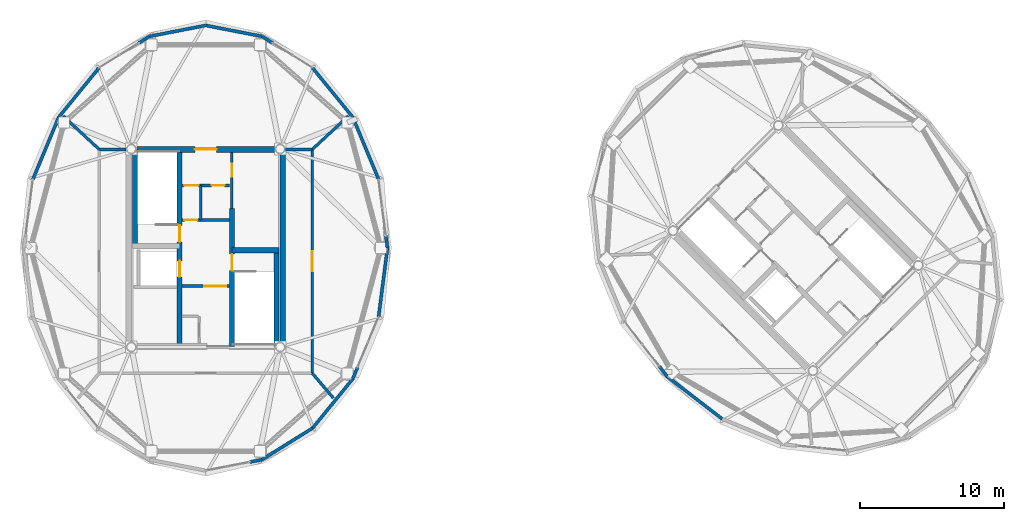
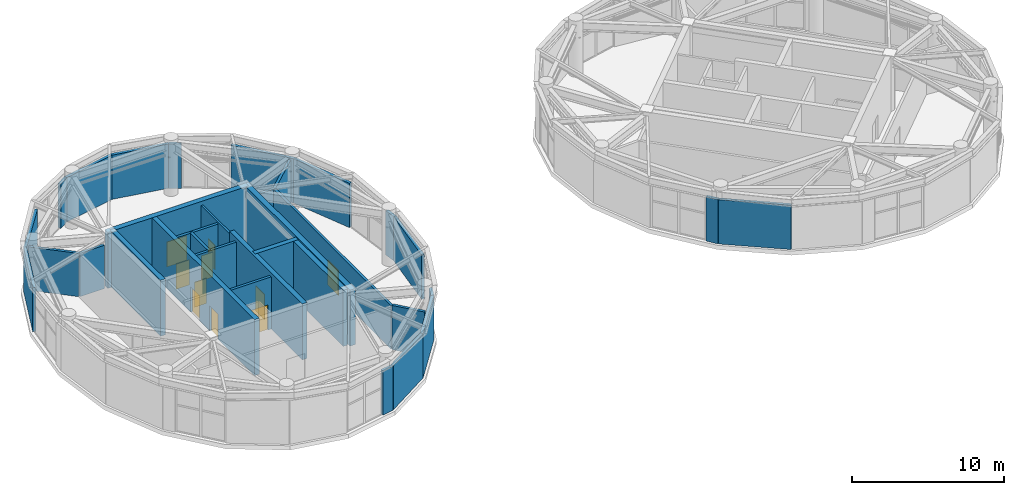
# One storey, part 23 of 26: 34 walls, 10 doors, 10 openings.
"""IFC4 building model written with IfcOpenShell, lengths in metres."""

from ifc_helpers import new_model, si_unit, direction, frame, frame_2d, origin, place, context, subcontext, project, spatial, rectangle, extrude, source, transform, mapped, material, layer, layer_set, type_object, element, fill, save


model = new_model("IFC4")

# Units and contexts
model_context = context("Model", 3, precision=1e-05, world=origin(), true_north=direction((0.0, 1.0)))
body_context = subcontext(model_context, "Body", "Model", "MODEL_VIEW")
ifc_project = project(units=[si_unit("LENGTHUNIT", "METRE"), si_unit("AREAUNIT", "SQUARE_METRE"), si_unit("VOLUMEUNIT", "CUBIC_METRE"), si_unit("PLANEANGLEUNIT", "RADIAN"), si_unit("MASSUNIT", "GRAM", prefix="KILO")], contexts=[model_context])

# Site, building, storey
site_placement = place(None, origin())
site = spatial("IfcSite", under=ifc_project, at=site_placement, CompositionType="ELEMENT")
building_placement = place(site_placement, origin())
building = spatial("IfcBuilding", under=site, at=building_placement, Name="Cununo Teusaquillo Station Towers", CompositionType="ELEMENT")
storey_placement = place(building_placement, frame((0.0, 0.0, 240.330078125)))
storey = spatial("IfcBuildingStorey", under=building, at=storey_placement, Name="L76", CompositionType="ELEMENT", Elevation=240.330078125)

# Wall, openings, doors
ifc_material_1 = material(Name="Concrete C50/60", Category="concrete")
ifc_layer_1 = layer(ifc_material_1, 0.35009765625)
ifc_layer_set_1 = layer_set([ifc_layer_1], Name="Concrete C50/60")
wall_type_1 = type_object("IfcWallType", Name="WL-CORE-350", PredefinedType="SHEAR", material=ifc_layer_set_1)
wall_1_placement = place(storey_placement, frame((14.68505859375, 17.64990234375, 0.0), z_axis=(0.0, 0.0, 1.0), x_axis=(0.0, 1.0, 0.0)))
wall_1 = element("IfcWall", 1, at=wall_1_placement, inside=storey, type_object=wall_type_1, Name="L76 Tower A Core Shear Wall IW", PredefinedType="SHEAR", context=body_context, shape_type="SweptSolid", body=[
    extrude(rectangle(XDim=13.7001953125, YDim=0.35009765625, at=frame_2d((6.85009765625, 0.0))), origin(), (0.0, 0.0, 1.0), 4.5),
])
shared_shape_1 = source(origin(), body_context, "Body", "SweptSolid", [
    extrude(rectangle(XDim=1.10009765625, YDim=2.014892578125, at=frame_2d((0.550048828125, 1.00732421875))), frame((0.0, 0.18505859375, 0.0), z_axis=(0.0, -1.0, 0.0), x_axis=(1.0, 0.0, 0.0)), (0.0, 0.0, 1.0), 0.3701171875),
])
opening_1_placement = place(wall_1_placement, frame((4.85009765625, 0.0, 0.0)))
opening_1 = element("IfcOpeningElement", 2, at=opening_1_placement, cuts=wall_1, Name="Opening LD-01", PredefinedType="OPENING", context=body_context, shape_type="MappedRepresentation", body=[
    mapped(shared_shape_1, transform((0.0, 0.0, 0.0), x_axis=(1.0, 0.0, 0.0), y_axis=(0.0, 1.0, 0.0), z_axis=(0.0, 0.0, 1.0), scale=1.0)),
])
shared_shape_2 = source(origin(), body_context, "Body", "SweptSolid", [
    extrude(rectangle(XDim=1.14990234375, YDim=2.02001953125, at=frame_2d((0.574951171875, 1.010009765625))), frame((0.0, 0.18505859375, 0.0), z_axis=(0.0, -1.0, 0.0), x_axis=(1.0, 0.0, 0.0)), (0.0, 0.0, 1.0), 0.3701171875),
])
opening_2_placement = place(wall_1_placement, frame((7.27001953125, 0.0, 0.0)))
opening_2 = element("IfcOpeningElement", 3, at=opening_2_placement, cuts=wall_1, Name="Opening D-ST1", PredefinedType="OPENING", context=body_context, shape_type="MappedRepresentation", body=[
    mapped(shared_shape_2, transform((0.0, 0.0, 0.0), x_axis=(1.0, 0.0, 0.0), y_axis=(0.0, 1.0, 0.0), z_axis=(0.0, 0.0, 1.0), scale=1.0)),
])
ifc_material_2 = material(Name="Galvanised fire-rated hollow steel door assembly", Category="steel")
door_type_1 = type_object("IfcDoorType", Name="DR-LIFT-1100", OperationType="SLIDING_TO_LEFT", PredefinedType="DOOR", material=ifc_material_2)
shared_shape_3 = source(origin(), body_context, "Body", "SweptSolid", [
    extrude(rectangle(XDim=1.10009765625, YDim=2.014892578125, at=frame_2d((0.550048828125, 1.00732421875))), frame((0.0, 0.02490234375, 0.0), z_axis=(0.0, -1.0, 0.0), x_axis=(1.0, 0.0, 0.0)), (0.0, 0.0, 1.0), 0.050048828125),
])
door_1_placement = place(opening_1_placement, origin())
door_1 = element("IfcDoor", 4, at=door_1_placement, inside=storey, type_object=door_type_1, Name="L76 Lift FL-T1 Sliding Landing Door", OperationType="SLIDING_TO_LEFT", OverallHeight=2.014892578125, OverallWidth=1.10009765625, PredefinedType="DOOR", context=body_context, shape_type="MappedRepresentation", body=[
    mapped(shared_shape_3, transform((0.0, 0.0, 0.0), x_axis=(1.0, 0.0, 0.0), y_axis=(0.0, 1.0, 0.0), z_axis=(0.0, 0.0, 1.0), scale=1.0)),
])
fill(opening_1, door_1)
ifc_material_3 = material(Name="Galvanised fire-rated hollow steel door assembly", Category="steel")
door_type_2 = type_object("IfcDoorType", Name="DR-STAIR-1150", OperationType="NOTDEFINED", PredefinedType="DOOR", material=ifc_material_3)
shared_shape_4 = source(origin(), body_context, "Body", "SweptSolid", [
    extrude(rectangle(XDim=1.14990234375, YDim=2.02001953125, at=frame_2d((0.574951171875, 1.010009765625))), frame((0.0, 0.02490234375, 0.0), z_axis=(0.0, -1.0, 0.0), x_axis=(1.0, 0.0, 0.0)), (0.0, 0.0, 1.0), 0.050048828125),
])
door_2_placement = place(opening_2_placement, origin())
door_2 = element("IfcDoor", 5, at=door_2_placement, inside=storey, type_object=door_type_2, Name="L76 Tower A Exit Stair 1 Fire Door", OperationType="SINGLE_SWING_RIGHT", OverallHeight=2.02001953125, OverallWidth=1.14990234375, PredefinedType="DOOR", context=body_context, shape_type="MappedRepresentation", body=[
    mapped(shared_shape_4, transform((0.0, 0.0, 0.0), x_axis=(1.0, 0.0, 0.0), y_axis=(0.0, 1.0, 0.0), z_axis=(0.0, 0.0, 1.0), scale=1.0)),
])
fill(opening_2, door_2)

# Wall, opening, door
wall_2_placement = place(storey_placement, frame((18.31494140625, 17.64990234375, 0.0), z_axis=(0.0, 0.0, 1.0), x_axis=(0.0, 1.0, 0.0)))
wall_2 = element("IfcWall", 6, at=wall_2_placement, inside=storey, type_object=wall_type_1, Name="L76 Tower A Core Shear Wall IE", PredefinedType="SHEAR", context=body_context, shape_type="SweptSolid", body=[
    extrude(rectangle(XDim=9.60009765625, YDim=0.35009765625, at=frame_2d((4.800048828125, 0.0))), origin(), (0.0, 0.0, 1.0), 4.5),
])
opening_3_placement = place(wall_2_placement, frame((5.280029296875, 0.0, 0.0)))
opening_3 = element("IfcOpeningElement", 7, at=opening_3_placement, cuts=wall_2, Name="Opening D-ST1", PredefinedType="OPENING", context=body_context, shape_type="MappedRepresentation", body=[
    mapped(shared_shape_2, transform((0.0, 0.0, 0.0), x_axis=(1.0, 0.0, 0.0), y_axis=(0.0, 1.0, 0.0), z_axis=(0.0, 0.0, 1.0), scale=1.0)),
])
door_3_placement = place(opening_3_placement, origin())
door_3 = element("IfcDoor", 8, at=door_3_placement, inside=storey, type_object=door_type_2, Name="L76 Tower A Exit Stair 2 Fire Door", OperationType="SINGLE_SWING_LEFT", OverallHeight=2.02001953125, OverallWidth=1.14990234375, PredefinedType="DOOR", context=body_context, shape_type="MappedRepresentation", body=[
    mapped(shared_shape_4, transform((0.0, 0.0, 0.0), x_axis=(1.0, 0.0, 0.0), y_axis=(0.0, 1.0, 0.0), z_axis=(0.0, 0.0, 1.0), scale=1.0)),
])
fill(opening_3, door_3)

# Walls
for number, where, z_axis, x_axis, name in (
    (9, (11.594970703125, 24.655029296875, 0.0), (0.0, 0.0, 1.0), (0.0, 1.0, 0.0), "L76 Tower A Core Shear Wall ST1W"),
    (10, (21.405029296875, 17.64990234375, 0.0), (0.0, 0.0, 1.0), (0.0, 1.0, 0.0), "L76 Tower A Core Shear Wall ST2E"),
):
    element("IfcWall", number, at=place(storey_placement, frame(where, z_axis=z_axis, x_axis=x_axis)), inside=storey, type_object=wall_type_1, Name=name, PredefinedType="SHEAR", context=body_context, shape_type="SweptSolid", body=[
        extrude(rectangle(XDim=6.695068359375, YDim=0.35009765625, at=frame_2d((3.34765625, 0.0))), origin(), (0.0, 0.0, 1.0), 4.5),
    ])
wall_3_placement = place(storey_placement, frame((18.31494140625, 24.344970703125, 0.0), z_axis=(0.0, 0.0, 1.0), x_axis=(1.0, 0.0, 0.0)))
element("IfcWall", 11, at=wall_3_placement, inside=storey, type_object=wall_type_1, Name="L76 Tower A Core Shear Wall ST2N", PredefinedType="SHEAR", context=body_context, shape_type="SweptSolid", body=[
    extrude(rectangle(XDim=3.28515625, YDim=0.35009765625, at=frame_2d((1.642578125, 0.0))), origin(), (0.0, 0.0, 1.0), 4.5),
])
ifc_material_4 = material(Name="Concrete C50/60", Category="concrete")
ifc_layer_2 = layer(ifc_material_4, 0.39990234375)
ifc_layer_set_2 = layer_set([ifc_layer_2], Name="Concrete C50/60")
wall_type_2 = type_object("IfcWallType", Name="WL-CORE-400", PredefinedType="SHEAR", material=ifc_layer_set_2)
wall_4_placement = place(storey_placement, frame((21.85009765625, 17.449951171875, 0.0), z_axis=(0.0, 0.0, 1.0), x_axis=(0.0, 1.0, 0.0)))
element("IfcWall", 12, at=wall_4_placement, inside=storey, type_object=wall_type_2, Name="L76 Tower A Core Shear Wall E", PredefinedType="SHEAR", context=body_context, shape_type="SweptSolid", body=[
    extrude(rectangle(XDim=14.10009765625, YDim=0.39990234375, at=frame_2d((7.050048828125, 0.0))), origin(), (0.0, 0.0, 1.0), 4.5),
])

# Wall, opening, door
wall_5_placement = place(storey_placement, frame((11.14990234375, 31.35009765625, 0.0), z_axis=(0.0, 0.0, 1.0), x_axis=(1.0, 0.0, 0.0)))
wall_5 = element("IfcWall", 13, at=wall_5_placement, inside=storey, type_object=wall_type_2, Name="L76 Tower A Core Shear Wall N", PredefinedType="SHEAR", context=body_context, shape_type="SweptSolid", body=[
    extrude(rectangle(XDim=10.7001953125, YDim=0.39990234375, at=frame_2d((5.35009765625, 0.0))), origin(), (0.0, 0.0, 1.0), 4.5),
])
shared_shape_5 = source(origin(), body_context, "Body", "SweptSolid", [
    extrude(rectangle(XDim=1.5, YDim=2.02001953125, at=frame_2d((0.75, 1.010009765625))), frame((0.0, 0.2099609375, 0.0), z_axis=(0.0, -1.0, 0.0), x_axis=(1.0, 0.0, 0.0)), (0.0, 0.0, 1.0), 0.419921875),
])
opening_4_placement = place(wall_5_placement, frame((4.60009765625, 0.0, 0.0)))
opening_4 = element("IfcOpeningElement", 14, at=opening_4_placement, cuts=wall_5, Name="Opening D-LB1", PredefinedType="OPENING", context=body_context, shape_type="MappedRepresentation", body=[
    mapped(shared_shape_5, transform((0.0, 0.0, 0.0), x_axis=(1.0, 0.0, 0.0), y_axis=(0.0, 1.0, 0.0), z_axis=(0.0, 0.0, 1.0), scale=1.0)),
])
ifc_material_5 = material(Name="Galvanised fire-rated hollow steel door assembly", Category="steel")
door_type_3 = type_object("IfcDoorType", Name="DR-LOBBY-1500", OperationType="DOUBLE_DOOR_SINGLE_SWING", PredefinedType="DOOR", material=ifc_material_5)
shared_shape_6 = source(origin(), body_context, "Body", "SweptSolid", [
    extrude(rectangle(XDim=1.5, YDim=2.02001953125, at=frame_2d((0.75, 1.010009765625))), frame((0.0, 0.02490234375, 0.0), z_axis=(0.0, -1.0, 0.0), x_axis=(1.0, 0.0, 0.0)), (0.0, 0.0, 1.0), 0.050048828125),
])
door_4_placement = place(opening_4_placement, origin())
door_4 = element("IfcDoor", 15, at=door_4_placement, inside=storey, type_object=door_type_3, Name="L76 Tower A North Core Lift Lobby Door", OperationType="DOUBLE_DOOR_SINGLE_SWING", OverallHeight=2.02001953125, OverallWidth=1.5, PredefinedType="DOOR", context=body_context, shape_type="MappedRepresentation", body=[
    mapped(shared_shape_6, transform((0.0, 0.0, 0.0), x_axis=(1.0, 0.0, 0.0), y_axis=(0.0, 1.0, 0.0), z_axis=(0.0, 0.0, 1.0), scale=1.0)),
])
fill(opening_4, door_4)

# Walls
ifc_material_6 = material(Name="Precast concrete C40/50", Category="concrete")
ifc_layer_3 = layer(ifc_material_6, 0.219970703125)
ifc_layer_set_3 = layer_set([ifc_layer_3], Name="Precast concrete C40/50")
wall_type_3 = type_object("IfcWallType", Name="WL-EXT-220", PredefinedType="SOLIDWALL", material=ifc_layer_set_3)
wall_6_placement = place(storey_placement, frame((29.018310546875, 25.36279296875, 0.0), z_axis=(0.0, 0.0, 1.0), x_axis=(0.128247365719, -0.991742211054, 0.0)))
element("IfcWall", 16, at=wall_6_placement, inside=storey, type_object=wall_type_3, Name="L76 Tower A Crown Drum Pier Cassette C00-PB", PredefinedType="SOLIDWALL", context=body_context, shape_type="SweptSolid", body=[
    extrude(rectangle(XDim=0.869873046875, YDim=0.219970703125, at=frame_2d((0.43505859375, 0.0))), origin(), (0.0, 0.0, 1.0), 3.555908203125),
])
wall_7_placement = place(storey_placement, frame((26.718017578125, 33.593017578125, 0.0), z_axis=(0.0, 0.0, 1.0), x_axis=(0.384036305194, -0.923317993052, 0.0)))
element("IfcWall", 17, at=wall_7_placement, inside=storey, type_object=wall_type_3, Name="L76 Tower A Crown Drum Spandrel Cassette C01", PredefinedType="SOLIDWALL", context=body_context, shape_type="SweptSolid", body=[
    extrude(rectangle(XDim=4.670654296875, YDim=0.219970703125, at=frame_2d((2.33544921875, 0.0))), origin(), (0.0, 0.0, 1.0), 3.555908203125),
])
wall_8_placement = place(storey_placement, frame((23.923583984375, 37.015380859375, 0.0), z_axis=(0.0, 0.0, 1.0), x_axis=(0.632467166636, -0.774587169483, 0.0)))
element("IfcWall", 18, at=wall_8_placement, inside=storey, type_object=wall_type_3, Name="L76 Tower A Crown Drum Spandrel Cassette C02", PredefinedType="SOLIDWALL", context=body_context, shape_type="SweptSolid", body=[
    extrude(rectangle(XDim=4.418212890625, YDim=0.219970703125, at=frame_2d((2.208984375, 0.0))), origin(), (0.0, 0.0, 1.0), 3.555908203125),
])
wall_9_placement = place(storey_placement, frame((20.40283203125, 39.212890625, 0.0), z_axis=(0.0, 0.0, 1.0), x_axis=(0.848376354637, -0.529393578439, 0.0)))
element("IfcWall", 19, at=wall_9_placement, inside=storey, type_object=wall_type_3, Name="L76 Tower A Crown Drum Pier Cassette C03-PA", PredefinedType="SOLIDWALL", context=body_context, shape_type="SweptSolid", body=[
    extrude(rectangle(XDim=0.8701171875, YDim=0.219970703125, at=frame_2d((0.43505859375, 0.0))), origin(), (0.0, 0.0, 1.0), 3.555908203125),
])
for number, where, z_axis, x_axis, name in (
    (20, (16.5, 39.969970703125, 0.0), (0.0, 0.0, 1.0), (0.981700307484, -0.190432419211, 0.0), "L76 Tower A Crown Drum Spandrel Cassette C04"),
    (21, (12.59716796875, 39.212890625, 0.0), (0.0, 0.0, 1.0), (0.981700307484, 0.190432419211, 0.0), "L76 Tower A Crown Drum Spandrel Cassette C05"),
):
    element("IfcWall", number, at=place(storey_placement, frame(where, z_axis=z_axis, x_axis=x_axis)), inside=storey, type_object=wall_type_3, Name=name, PredefinedType="SOLIDWALL", context=body_context, shape_type="SweptSolid", body=[
        extrude(rectangle(XDim=3.9755859375, YDim=0.219970703125, at=frame_2d((1.98779296875, 0.0))), origin(), (0.0, 0.0, 1.0), 3.555908203125),
    ])
wall_10_placement = place(storey_placement, frame((11.85888671875, 38.752197265625, 0.0), z_axis=(0.0, 0.0, 1.0), x_axis=(0.848376354637, 0.529393578439, 0.0)))
element("IfcWall", 22, at=wall_10_placement, inside=storey, type_object=wall_type_3, Name="L76 Tower A Crown Drum Pier Cassette C06-PB", PredefinedType="SOLIDWALL", context=body_context, shape_type="SweptSolid", body=[
    extrude(rectangle(XDim=0.8701171875, YDim=0.219970703125, at=frame_2d((0.43505859375, 0.0))), origin(), (0.0, 0.0, 1.0), 3.555908203125),
])
wall_11_placement = place(storey_placement, frame((6.281982421875, 33.593017578125, 0.0), z_axis=(0.0, 0.0, 1.0), x_axis=(0.632467166636, 0.774587169483, 0.0)))
element("IfcWall", 23, at=wall_11_placement, inside=storey, type_object=wall_type_3, Name="L76 Tower A Crown Drum Spandrel Cassette C07", PredefinedType="SOLIDWALL", context=body_context, shape_type="SweptSolid", body=[
    extrude(rectangle(XDim=4.418212890625, YDim=0.219970703125, at=frame_2d((2.208984375, 0.0))), origin(), (0.0, 0.0, 1.0), 3.555908203125),
])
wall_12_placement = place(storey_placement, frame((4.48828125, 29.280517578125, 0.0), z_axis=(0.0, 0.0, 1.0), x_axis=(0.384036305194, 0.923317993052, 0.0)))
element("IfcWall", 24, at=wall_12_placement, inside=storey, type_object=wall_type_3, Name="L76 Tower A Crown Drum Spandrel Cassette C08", PredefinedType="SOLIDWALL", context=body_context, shape_type="SweptSolid", body=[
    extrude(rectangle(XDim=4.670654296875, YDim=0.219970703125, at=frame_2d((2.33544921875, 0.0))), origin(), (0.0, 0.0, 1.0), 3.555908203125),
])
wall_13_placement = place(storey_placement, frame((20.40283203125, 9.787109375, 0.0), z_axis=(0.0, 0.0, 1.0), x_axis=(-0.981729145882, -0.190283693799, 0.0)))
element("IfcWall", 25, at=wall_13_placement, inside=storey, type_object=wall_type_3, Name="L76 Tower A Crown Drum Pier Cassette C15-PA", PredefinedType="SOLIDWALL", context=body_context, shape_type="SweptSolid", body=[
    extrude(rectangle(XDim=0.869873046875, YDim=0.219970703125, at=frame_2d((0.43505859375, 0.0))), origin(), (0.0, 0.0, 1.0), 3.555908203125),
])
wall_14_placement = place(storey_placement, frame((23.923583984375, 11.984619140625, 0.0), z_axis=(0.0, 0.0, 1.0), x_axis=(-0.848318713376, -0.529485939886, 0.0)))
element("IfcWall", 26, at=wall_14_placement, inside=storey, type_object=wall_type_3, Name="L76 Tower A Crown Drum Spandrel Cassette C16", PredefinedType="SOLIDWALL", context=body_context, shape_type="SweptSolid", body=[
    extrude(rectangle(XDim=4.150390625, YDim=0.219970703125, at=frame_2d((2.0751953125, 0.0))), origin(), (0.0, 0.0, 1.0), 3.555908203125),
])
wall_15_placement = place(storey_placement, frame((26.718017578125, 15.406982421875, 0.0), z_axis=(0.0, 0.0, 1.0), x_axis=(-0.632467166636, -0.774587169483, 0.0)))
element("IfcWall", 27, at=wall_15_placement, inside=storey, type_object=wall_type_3, Name="L76 Tower A Crown Drum Spandrel Cassette C17", PredefinedType="SOLIDWALL", context=body_context, shape_type="SweptSolid", body=[
    extrude(rectangle(XDim=4.418212890625, YDim=0.219970703125, at=frame_2d((2.208984375, 0.0))), origin(), (0.0, 0.0, 1.0), 3.555908203125),
])
wall_16_placement = place(storey_placement, frame((27.052001953125, 16.210205078125, 0.0), z_axis=(0.0, 0.0, 1.0), x_axis=(-0.383937720403, -0.92335899132, 0.0)))
element("IfcWall", 28, at=wall_16_placement, inside=storey, type_object=wall_type_3, Name="L76 Tower A Crown Drum Pier Cassette C18-PB", PredefinedType="SOLIDWALL", context=body_context, shape_type="SweptSolid", body=[
    extrude(rectangle(XDim=0.869873046875, YDim=0.219970703125, at=frame_2d((0.43505859375, 0.0))), origin(), (0.0, 0.0, 1.0), 3.555908203125),
])
wall_17_placement = place(storey_placement, frame((29.1298828125, 24.5, 0.0), z_axis=(0.0, 0.0, 1.0), x_axis=(-0.128241318541, -0.991742993027, 0.0)))
element("IfcWall", 29, at=wall_17_placement, inside=storey, type_object=wall_type_3, Name="L76 Tower A Crown Drum Spandrel Cassette C19", PredefinedType="SOLIDWALL", context=body_context, shape_type="SweptSolid", body=[
    extrude(rectangle(XDim=4.8203125, YDim=0.219970703125, at=frame_2d((2.41015625, 0.0))), origin(), (0.0, 0.0, 1.0), 3.555908203125),
])
wall_18_placement = place(storey_placement, frame((48.569091796875, 15.569091796875, 0.0), z_axis=(0.0, 0.0, 1.0), x_axis=(-0.610320822734, 0.792154336817, 0.0)))
element("IfcWall", 30, at=wall_18_placement, inside=storey, type_object=wall_type_3, Name="L76 Tower B Crown Drum Pier Cassette C09-PA", PredefinedType="SOLIDWALL", context=body_context, shape_type="SweptSolid", body=[
    extrude(rectangle(XDim=0.8701171875, YDim=0.219970703125, at=frame_2d((0.43505859375, 0.0))), origin(), (0.0, 0.0, 1.0), 3.555908203125),
])
wall_19_placement = place(storey_placement, frame((52.38671875, 12.626220703125, 0.0), z_axis=(0.0, 0.0, 1.0), x_axis=(-0.791998462147, 0.610523083886, 0.0)))
element("IfcWall", 31, at=wall_19_placement, inside=storey, type_object=wall_type_3, Name="L76 Tower B Crown Drum Spandrel Cassette C10", PredefinedType="SOLIDWALL", context=body_context, shape_type="SweptSolid", body=[
    extrude(rectangle(XDim=4.8203125, YDim=0.219970703125, at=frame_2d((2.41015625, 0.0))), origin(), (0.0, 0.0, 1.0), 3.555908203125),
])

# Wall, opening, door
ifc_material_7 = material(Name="Fire-rated gypsum plasterboard partition assembly", Category="gypsum")
ifc_layer_4 = layer(ifc_material_7, 0.159912109375)
ifc_layer_set_4 = layer_set([ifc_layer_4], Name="Fire-rated gypsum plasterboard partition assembly")
wall_type_4 = type_object("IfcWallType", Name="WL-PART-160", PredefinedType="PARTITIONING", material=ifc_layer_set_4)
wall_20_placement = place(storey_placement, frame((18.31494140625, 27.25, 0.0), z_axis=(0.0, 0.0, 1.0), x_axis=(0.0, 1.0, 0.0)))
wall_20 = element("IfcWall", 32, at=wall_20_placement, inside=storey, type_object=wall_type_4, Name="L76 Tower A Reclaimed Core Bay Entry Wall", PredefinedType="PARTITIONING", context=body_context, shape_type="SweptSolid", body=[
    extrude(rectangle(XDim=3.89990234375, YDim=0.159912109375, at=frame_2d((1.949951171875, 0.0))), origin(), (0.0, 0.0, 1.0), 4.184814453125),
])
shared_shape_7 = source(origin(), body_context, "Body", "SweptSolid", [
    extrude(rectangle(XDim=0.89990234375, YDim=2.0048828125, at=frame_2d((0.449951171875, 1.00244140625))), frame((0.0, 0.08984375, 0.0), z_axis=(0.0, -1.0, 0.0), x_axis=(1.0, 0.0, 0.0)), (0.0, 0.0, 1.0), 0.179931640625),
])
opening_5_placement = place(wall_20_placement, frame((2.199951171875, 0.0, 0.0)))
opening_5 = element("IfcOpeningElement", 33, at=opening_5_placement, cuts=wall_20, Name="Opening D-IN1", PredefinedType="OPENING", context=body_context, shape_type="MappedRepresentation", body=[
    mapped(shared_shape_7, transform((0.0, 0.0, 0.0), x_axis=(1.0, 0.0, 0.0), y_axis=(0.0, 1.0, 0.0), z_axis=(0.0, 0.0, 1.0), scale=1.0)),
])
ifc_material_8 = material(Name="Acoustic solid-core hardwood leaf assembly", Category="wood")
door_type_4 = type_object("IfcDoorType", Name="DR-INT-900", OperationType="NOTDEFINED", PredefinedType="DOOR", material=ifc_material_8)
shared_shape_8 = source(origin(), body_context, "Body", "SweptSolid", [
    extrude(rectangle(XDim=0.89990234375, YDim=2.0048828125, at=frame_2d((0.449951171875, 1.00244140625))), frame((0.0, 0.02490234375, 0.0), z_axis=(0.0, -1.0, 0.0), x_axis=(1.0, 0.0, 0.0)), (0.0, 0.0, 1.0), 0.050048828125),
])
door_5_placement = place(opening_5_placement, origin())
door_5 = element("IfcDoor", 34, at=door_5_placement, inside=storey, type_object=door_type_4, Name="L76 Tower A Reclaimed Core Lounge Door", OperationType="SINGLE_SWING_RIGHT", OverallHeight=2.0048828125, OverallWidth=0.89990234375, PredefinedType="DOOR", context=body_context, shape_type="MappedRepresentation", body=[
    mapped(shared_shape_8, transform((0.0, 0.0, 0.0), x_axis=(1.0, 0.0, 0.0), y_axis=(0.0, 1.0, 0.0), z_axis=(0.0, 0.0, 1.0), scale=1.0)),
])
fill(opening_5, door_5)

ifc_material_9 = material(Name="Fire-rated gypsum plasterboard partition assembly", Category="gypsum")
ifc_layer_5 = layer(ifc_material_9, 0.179931640625)
ifc_layer_set_5 = layer_set([ifc_layer_5], Name="Fire-rated gypsum plasterboard partition assembly")
wall_type_5 = type_object("IfcWallType", Name="WL-PART-180", PredefinedType="PARTITIONING", material=ifc_layer_set_5)
wall_21_placement = place(storey_placement, frame((23.89990234375, 15.800048828125, 0.0), z_axis=(0.0, 0.0, 1.0), x_axis=(0.0, 1.0, 0.0)))
wall_21 = element("IfcWall", 35, at=wall_21_placement, inside=storey, type_object=wall_type_5, Name="L76 Tower A Crown Corridor Wall E", PredefinedType="PARTITIONING", context=body_context, shape_type="SweptSolid", body=[
    extrude(rectangle(XDim=15.550048828125, YDim=0.179931640625, at=frame_2d((7.77490234375, 0.0))), origin(), (0.0, 0.0, 1.0), 3.475830078125),
])
shared_shape_9 = source(origin(), body_context, "Body", "SweptSolid", [
    extrude(rectangle(XDim=1.39990234375, YDim=2.02001953125, at=frame_2d((0.699951171875, 1.010009765625))), frame((0.0, 0.099853515625, 0.0), z_axis=(0.0, -1.0, 0.0), x_axis=(1.0, 0.0, 0.0)), (0.0, 0.0, 1.0), 0.199951171875),
])
opening_6_placement = place(wall_21_placement, frame((7.074951171875, 0.0, 0.0)))
opening_6 = element("IfcOpeningElement", 36, at=opening_6_placement, cuts=wall_21, Name="Opening D-PL1", PredefinedType="OPENING", context=body_context, shape_type="MappedRepresentation", body=[
    mapped(shared_shape_9, transform((0.0, 0.0, 0.0), x_axis=(1.0, 0.0, 0.0), y_axis=(0.0, 1.0, 0.0), z_axis=(0.0, 0.0, 1.0), scale=1.0)),
])
ifc_material_10 = material(Name="Galvanised fire-rated hollow steel door assembly", Category="steel")
door_type_5 = type_object("IfcDoorType", Name="DR-PLANT-1400", OperationType="NOTDEFINED", PredefinedType="DOOR", material=ifc_material_10)
shared_shape_10 = source(origin(), body_context, "Body", "SweptSolid", [
    extrude(rectangle(XDim=1.39990234375, YDim=2.02001953125, at=frame_2d((0.699951171875, 1.010009765625))), frame((0.0, 0.02490234375, 0.0), z_axis=(0.0, -1.0, 0.0), x_axis=(1.0, 0.0, 0.0)), (0.0, 0.0, 1.0), 0.050048828125),
])
door_6_placement = place(opening_6_placement, origin())
door_6 = element("IfcDoor", 37, at=door_6_placement, inside=storey, type_object=door_type_5, Name="L76 Tower A Crown Room E Double Door", OperationType="SINGLE_SWING_LEFT", OverallHeight=2.02001953125, OverallWidth=1.39990234375, PredefinedType="DOOR", context=body_context, shape_type="MappedRepresentation", body=[
    mapped(shared_shape_10, transform((0.0, 0.0, 0.0), x_axis=(1.0, 0.0, 0.0), y_axis=(0.0, 1.0, 0.0), z_axis=(0.0, 0.0, 1.0), scale=1.0)),
])
fill(opening_6, door_6)

ifc_material_11 = material(Name="Fire-rated gypsum plasterboard partition assembly", Category="gypsum")
ifc_layer_6 = layer(ifc_material_11, 0.199951171875)
ifc_layer_set_6 = layer_set([ifc_layer_6], Name="Fire-rated gypsum plasterboard partition assembly")
wall_type_6 = type_object("IfcWallType", Name="WL-PART-200", PredefinedType="PARTITIONING", material=ifc_layer_set_6)
wall_22_placement = place(storey_placement, frame((14.860107421875, 21.85009765625, 0.0), z_axis=(0.0, 0.0, 1.0), x_axis=(1.0, 0.0, 0.0)))
wall_22 = element("IfcWall", 38, at=wall_22_placement, inside=storey, type_object=wall_type_6, Name="L76 Tower A Firefighting Lift Lobby South Fire Wall", PredefinedType="PARTITIONING", context=body_context, shape_type="SweptSolid", body=[
    extrude(rectangle(XDim=3.27978515625, YDim=0.199951171875, at=frame_2d((1.639892578125, 0.0))), origin(), (0.0, 0.0, 1.0), 4.184814453125),
])
shared_shape_11 = source(origin(), body_context, "Body", "SweptSolid", [
    extrude(rectangle(XDim=1.5, YDim=2.02001953125, at=frame_2d((0.75, 1.010009765625))), frame((0.0, 0.10986328125, 0.0), z_axis=(0.0, -1.0, 0.0), x_axis=(1.0, 0.0, 0.0)), (0.0, 0.0, 1.0), 0.219970703125),
])
opening_7_placement = place(wall_22_placement, frame((1.550048828125, 0.0, 0.0)))
opening_7 = element("IfcOpeningElement", 39, at=opening_7_placement, cuts=wall_22, Name="Opening D-LB1", PredefinedType="OPENING", context=body_context, shape_type="MappedRepresentation", body=[
    mapped(shared_shape_11, transform((0.0, 0.0, 0.0), x_axis=(1.0, 0.0, 0.0), y_axis=(0.0, 1.0, 0.0), z_axis=(0.0, 0.0, 1.0), scale=1.0)),
])
door_7_placement = place(opening_7_placement, origin())
door_7 = element("IfcDoor", 40, at=door_7_placement, inside=storey, type_object=door_type_3, Name="L76 Tower A Firefighting Lift Lobby South Fire Door", OperationType="DOUBLE_DOOR_SINGLE_SWING", OverallHeight=2.02001953125, OverallWidth=1.5, PredefinedType="DOOR", context=body_context, shape_type="MappedRepresentation", body=[
    mapped(shared_shape_6, transform((0.0, 0.0, 0.0), x_axis=(1.0, 0.0, 0.0), y_axis=(0.0, 1.0, 0.0), z_axis=(0.0, 0.0, 1.0), scale=1.0)),
])
fill(opening_7, door_7)

wall_23_placement = place(storey_placement, frame((14.860107421875, 26.449951171875, 0.0), z_axis=(0.0, 0.0, 1.0), x_axis=(1.0, 0.0, 0.0)))
wall_23 = element("IfcWall", 41, at=wall_23_placement, inside=storey, type_object=wall_type_6, Name="L76 Tower A Firefighting Lift Lobby North Fire Wall", PredefinedType="PARTITIONING", context=body_context, shape_type="SweptSolid", body=[
    extrude(rectangle(XDim=3.27978515625, YDim=0.199951171875, at=frame_2d((1.639892578125, 0.0))), origin(), (0.0, 0.0, 1.0), 4.184814453125),
])
shared_shape_12 = source(origin(), body_context, "Body", "SweptSolid", [
    extrude(rectangle(XDim=0.89990234375, YDim=2.0048828125, at=frame_2d((0.449951171875, 1.00244140625))), frame((0.0, 0.10986328125, 0.0), z_axis=(0.0, -1.0, 0.0), x_axis=(1.0, 0.0, 0.0)), (0.0, 0.0, 1.0), 0.219970703125),
])
opening_8_placement = place(wall_23_placement, frame((0.159912109375, 0.0, 0.0)))
opening_8 = element("IfcOpeningElement", 42, at=opening_8_placement, cuts=wall_23, Name="Opening D-SR1", PredefinedType="OPENING", context=body_context, shape_type="MappedRepresentation", body=[
    mapped(shared_shape_12, transform((0.0, 0.0, 0.0), x_axis=(1.0, 0.0, 0.0), y_axis=(0.0, 1.0, 0.0), z_axis=(0.0, 0.0, 1.0), scale=1.0)),
])
ifc_material_12 = material(Name="Galvanised fire-rated hollow steel door assembly", Category="steel")
door_type_6 = type_object("IfcDoorType", Name="DR-STORE-900", OperationType="NOTDEFINED", PredefinedType="DOOR", material=ifc_material_12)
door_8_placement = place(opening_8_placement, origin())
door_8 = element("IfcDoor", 43, at=door_8_placement, inside=storey, type_object=door_type_6, Name="L76 Tower A Stair 1 Protected Vestibule South Door", OperationType="SINGLE_SWING_RIGHT", OverallHeight=2.0048828125, OverallWidth=0.89990234375, PredefinedType="DOOR", context=body_context, shape_type="MappedRepresentation", body=[
    mapped(shared_shape_8, transform((0.0, 0.0, 0.0), x_axis=(1.0, 0.0, 0.0), y_axis=(0.0, 1.0, 0.0), z_axis=(0.0, 0.0, 1.0), scale=1.0)),
])
fill(opening_8, door_8)

# Wall
wall_24_placement = place(storey_placement, frame((16.14990234375, 26.449951171875, 0.0), z_axis=(0.0, 0.0, 1.0), x_axis=(0.0, 1.0, 0.0)))
element("IfcWall", 44, at=wall_24_placement, inside=storey, type_object=wall_type_6, Name="L76 Tower A Stair 1 Vestibule Partition Wall", PredefinedType="PARTITIONING", context=body_context, shape_type="SweptSolid", body=[
    extrude(rectangle(XDim=2.400146484375, YDim=0.199951171875, at=frame_2d((1.2001953125, 0.0))), origin(), (0.0, 0.0, 1.0), 4.184814453125),
])

# Wall, openings, doors
wall_25_placement = place(storey_placement, frame((14.860107421875, 28.85009765625, 0.0), z_axis=(0.0, 0.0, 1.0), x_axis=(1.0, 0.0, 0.0)))
wall_25 = element("IfcWall", 45, at=wall_25_placement, inside=storey, type_object=wall_type_6, Name="L76 Tower A North Lift Lobby South Fire Wall", PredefinedType="PARTITIONING", context=body_context, shape_type="SweptSolid", body=[
    extrude(rectangle(XDim=3.27978515625, YDim=0.199951171875, at=frame_2d((1.639892578125, 0.0))), origin(), (0.0, 0.0, 1.0), 4.184814453125),
])
shared_shape_13 = source(origin(), body_context, "Body", "SweptSolid", [
    extrude(rectangle(XDim=1.0, YDim=2.014892578125, at=frame_2d((0.5, 1.00732421875))), frame((0.0, 0.10986328125, 0.0), z_axis=(0.0, -1.0, 0.0), x_axis=(1.0, 0.0, 0.0)), (0.0, 0.0, 1.0), 0.219970703125),
])
opening_9_placement = place(wall_25_placement, frame((0.139892578125, 0.0, 0.0)))
opening_9 = element("IfcOpeningElement", 46, at=opening_9_placement, cuts=wall_25, Name="Opening D-AC1", PredefinedType="OPENING", context=body_context, shape_type="MappedRepresentation", body=[
    mapped(shared_shape_13, transform((0.0, 0.0, 0.0), x_axis=(1.0, 0.0, 0.0), y_axis=(0.0, 1.0, 0.0), z_axis=(0.0, 0.0, 1.0), scale=1.0)),
])
opening_10_placement = place(wall_25_placement, frame((2.050048828125, 0.0, 0.0)))
opening_10 = element("IfcOpeningElement", 47, at=opening_10_placement, cuts=wall_25, Name="Opening D-SR1", PredefinedType="OPENING", context=body_context, shape_type="MappedRepresentation", body=[
    mapped(shared_shape_12, transform((0.0, 0.0, 0.0), x_axis=(1.0, 0.0, 0.0), y_axis=(0.0, 1.0, 0.0), z_axis=(0.0, 0.0, 1.0), scale=1.0)),
])
door_9_placement = place(opening_10_placement, origin())
door_9 = element("IfcDoor", 48, at=door_9_placement, inside=storey, type_object=door_type_6, Name="L76 Tower A Core Housekeeping & Linen Store Door", OperationType="SINGLE_SWING_LEFT", OverallHeight=2.0048828125, OverallWidth=0.89990234375, PredefinedType="DOOR", context=body_context, shape_type="MappedRepresentation", body=[
    mapped(shared_shape_8, transform((0.0, 0.0, 0.0), x_axis=(1.0, 0.0, 0.0), y_axis=(0.0, 1.0, 0.0), z_axis=(0.0, 0.0, 1.0), scale=1.0)),
])
fill(opening_10, door_9)
ifc_material_13 = material(Name="Acoustic solid-core hardwood leaf assembly", Category="wood")
door_type_7 = type_object("IfcDoorType", Name="DR-ACC-1000", OperationType="NOTDEFINED", PredefinedType="DOOR", material=ifc_material_13)
shared_shape_14 = source(origin(), body_context, "Body", "SweptSolid", [
    extrude(rectangle(XDim=1.0, YDim=2.014892578125, at=frame_2d((0.5, 1.00732421875))), frame((0.0, 0.02490234375, 0.0), z_axis=(0.0, -1.0, 0.0), x_axis=(1.0, 0.0, 0.0)), (0.0, 0.0, 1.0), 0.050048828125),
])
door_10_placement = place(opening_9_placement, origin())
door_10 = element("IfcDoor", 49, at=door_10_placement, inside=storey, type_object=door_type_7, Name="L76 Tower A North Lift Lobby to Stair 1 Vestibule Door", OperationType="SINGLE_SWING_LEFT", OverallHeight=2.014892578125, OverallWidth=1.0, PredefinedType="DOOR", context=body_context, shape_type="MappedRepresentation", body=[
    mapped(shared_shape_14, transform((0.0, 0.0, 0.0), x_axis=(1.0, 0.0, 0.0), y_axis=(0.0, 1.0, 0.0), z_axis=(0.0, 0.0, 1.0), scale=1.0)),
])
fill(opening_9, door_10)

# Walls
for number, where, z_axis, x_axis, name in (
    (50, (9.10009765625, 31.35009765625, 0.0), (0.0, 0.0, 1.0), (1.0, 0.0, 0.0), "L76 Tower A Crown North Hall Wall NW"),
    (51, (22.050048828125, 31.35009765625, 0.0), (0.0, 0.0, 1.0), (1.0, 0.0, 0.0), "L76 Tower A Crown North Hall Wall NE"),
):
    element("IfcWall", number, at=place(storey_placement, frame(where, z_axis=z_axis, x_axis=x_axis)), inside=storey, type_object=wall_type_6, Name=name, PredefinedType="PARTITIONING", context=body_context, shape_type="SweptSolid", body=[
        extrude(rectangle(XDim=1.849853515625, YDim=0.199951171875, at=frame_2d((0.9248046875, 0.0))), origin(), (0.0, 0.0, 1.0), 3.475830078125),
    ])
for number, where, z_axis, x_axis, name in (
    (52, (9.10009765625, 31.35009765625, 0.0), (0.0, 0.0, 1.0), (-0.733869107154, 0.679290904963, 0.0), "L76 Tower A Crown Radial Wall Q1"),
    (53, (23.89990234375, 31.35009765625, 0.0), (0.0, 0.0, 1.0), (0.733869107154, 0.679290904963, 0.0), "L76 Tower A Crown Radial Wall Q2"),
):
    element("IfcWall", number, at=place(storey_placement, frame(where, z_axis=z_axis, x_axis=x_axis)), inside=storey, type_object=wall_type_6, Name=name, PredefinedType="PARTITIONING", context=body_context, shape_type="SweptSolid", body=[
        extrude(rectangle(XDim=3.40869140625, YDim=0.199951171875, at=frame_2d((1.704345703125, 0.0))), origin(), (0.0, 0.0, 1.0), 3.475830078125),
    ])
wall_26_placement = place(storey_placement, frame((23.89990234375, 15.800048828125, 0.0), z_axis=(0.0, 0.0, 1.0), x_axis=(0.647910417059, -0.761716542729, 0.0)))
element("IfcWall", 54, at=wall_26_placement, inside=storey, type_object=wall_type_6, Name="L76 Tower A Crown Radial Wall Q3", PredefinedType="PARTITIONING", context=body_context, shape_type="SweptSolid", body=[
    extrude(rectangle(XDim=2.271728515625, YDim=0.199951171875, at=frame_2d((1.1357421875, 0.0))), origin(), (0.0, 0.0, 1.0), 3.555908203125),
])

save(model, "model.ifc")
